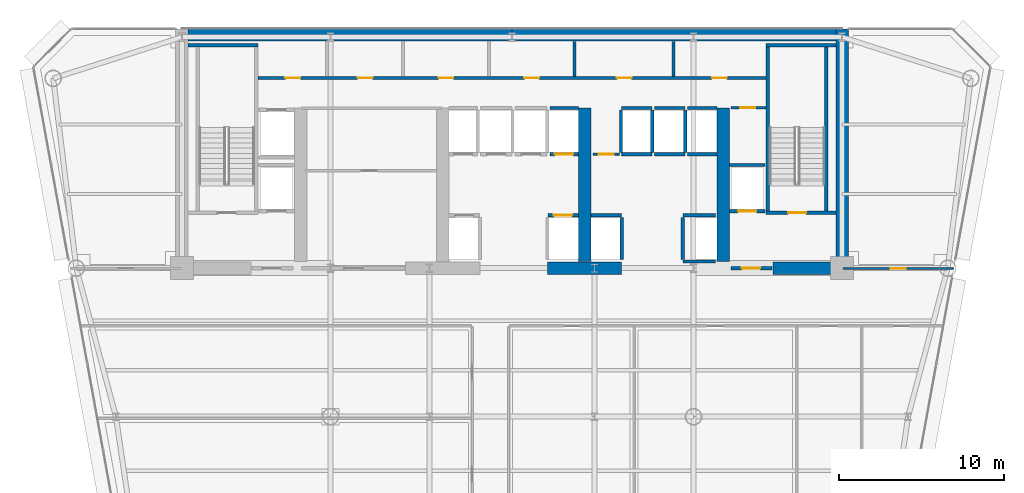
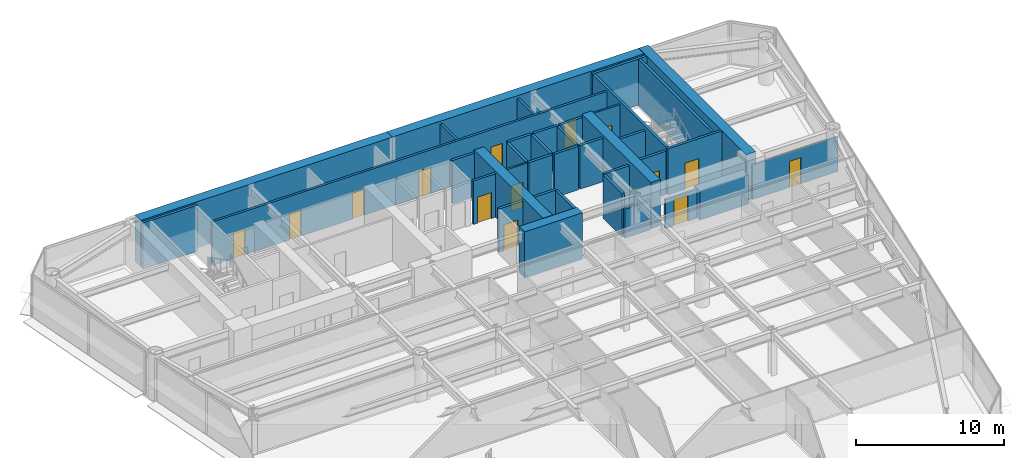
# One storey, part 9 of 14: 38 walls, 14 doors, 14 openings.
"""IFC4 building model written with IfcOpenShell, lengths in metres."""

from ifc_helpers import new_model, si_unit, direction, frame, frame_2d, origin, place, context, subcontext, project, spatial, rectangle, extrude, source, transform, mapped, material, layer, layer_set, type_object, element, fill, save


model = new_model("IFC4")

# Units and contexts
model_context = context("Model", 3, precision=1e-05, world=origin(), true_north=direction((0.0, 1.0)))
body_context = subcontext(model_context, "Body", "Model", "MODEL_VIEW")
ifc_project = project(units=[si_unit("LENGTHUNIT", "METRE"), si_unit("AREAUNIT", "SQUARE_METRE"), si_unit("VOLUMEUNIT", "CUBIC_METRE"), si_unit("PLANEANGLEUNIT", "RADIAN"), si_unit("MASSUNIT", "GRAM", prefix="KILO")], contexts=[model_context])

# Site, building, storey
site_placement = place(None, origin())
site = spatial("IfcSite", under=ifc_project, at=site_placement, CompositionType="ELEMENT")
building_placement = place(site_placement, origin())
building = spatial("IfcBuilding", under=site, at=building_placement, Name="Vaeldorn Concourse Tower", CompositionType="ELEMENT")
storey_placement = place(building_placement, frame((0.0, 0.0, 111.0)))
storey = spatial("IfcBuildingStorey", under=building, at=storey_placement, Name="L28", CompositionType="ELEMENT", Elevation=111.0)

# Walls
ifc_material_1 = material(Name="Concrete C60/75", Category="concrete")
ifc_layer_1 = layer(ifc_material_1, 0.75)
ifc_layer_set_1 = layer_set([ifc_layer_1], Name="Concrete C60/75")
wall_type_1 = type_object("IfcWallType", Name="WL-CORE-750", PredefinedType="SHEAR", material=ifc_layer_set_1)
for number, where, z_axis, x_axis, name in (
    (1, (14.37890625, 50.625, 0.0), (0.0, 0.0, 1.0), (1.0, 0.0, 0.0), "Rear Core Shear Wall L28 N1"),
    (2, (34.001953125, 50.625, 0.0), (0.0, 0.0, 1.0), (1.0, 0.0, 0.0), "Rear Core Shear Wall L28 N2"),
):
    element("IfcWall", number, at=place(storey_placement, frame(where, z_axis=z_axis, x_axis=x_axis)), inside=storey, type_object=wall_type_1, Name=name, PredefinedType="SHEAR", context=body_context, shape_type="SweptSolid", body=[
        extrude(rectangle(XDim=19.619140625, YDim=0.75, at=frame_2d((9.8095703125, 0.0))), origin(), (0.0, 0.0, 1.0), 3.800048828125),
    ])
wall_1_placement = place(storey_placement, frame((54.0, 36.5, 0.0), z_axis=(0.0, 0.0, 1.0), x_axis=(0.0, 1.0, 0.0)))
element("IfcWall", 3, at=wall_1_placement, inside=storey, type_object=wall_type_1, Name="Rear Core Shear Wall L28 E1", PredefinedType="SHEAR", context=body_context, shape_type="SweptSolid", body=[
    extrude(rectangle(XDim=14.5, YDim=0.75, at=frame_2d((7.25, 0.0))), origin(), (0.0, 0.0, 1.0), 3.800048828125),
])
wall_2_placement = place(storey_placement, frame((36.14990234375, 36.5, 0.0), z_axis=(0.0, 0.0, 1.0), x_axis=(1.0, 0.0, 0.0)))
element("IfcWall", 4, at=wall_2_placement, inside=storey, type_object=wall_type_1, Name="Rear Core Shear Wall L28 S3", PredefinedType="SHEAR", context=body_context, shape_type="SweptSolid", body=[
    extrude(rectangle(XDim=4.5, YDim=0.75, at=frame_2d((2.25, 0.0))), origin(), (0.0, 0.0, 1.0), 3.800048828125),
])
wall_3_placement = place(storey_placement, frame((49.800048828125, 36.5, 0.0), z_axis=(0.0, 0.0, 1.0), x_axis=(1.0, 0.0, 0.0)))
element("IfcWall", 5, at=wall_3_placement, inside=storey, type_object=wall_type_1, Name="Rear Core Shear Wall L28 S4", PredefinedType="SHEAR", context=body_context, shape_type="SweptSolid", body=[
    extrude(rectangle(XDim=3.804931640625, YDim=0.75, at=frame_2d((1.90234375, 0.0))), origin(), (0.0, 0.0, 1.0), 2.3798828125),
])
for number, where, z_axis, x_axis, name in (
    (6, (38.39990234375, 36.89501953125, 0.0), (0.0, 0.0, 1.0), (0.0, 1.0, 0.0), "Rear Core Shear Wall L28 M3"),
    (7, (46.800048828125, 36.89501953125, 0.0), (0.0, 0.0, 1.0), (0.0, 1.0, 0.0), "Rear Core Shear Wall L28 M4"),
):
    element("IfcWall", number, at=place(storey_placement, frame(where, z_axis=z_axis, x_axis=x_axis)), inside=storey, type_object=wall_type_1, Name=name, PredefinedType="SHEAR", context=body_context, shape_type="SweptSolid", body=[
        extrude(rectangle(XDim=9.304931640625, YDim=0.75, at=frame_2d((4.65234375, 0.0))), origin(), (0.0, 0.0, 1.0), 3.800048828125),
    ])

# Wall, opening, door
ifc_material_2 = material(Name="Gypsum Board Partition", Category="gypsum")
ifc_layer_2 = layer(ifc_material_2, 0.1201171875)
ifc_layer_set_2 = layer_set([ifc_layer_2], Name="Gypsum Board Partition")
wall_type_2 = type_object("IfcWallType", Name="WL-PART-120", PredefinedType="PARTITIONING", material=ifc_layer_set_2)
wall_4_placement = place(storey_placement, frame((54.06005859375, 36.47998046875, 0.0), z_axis=(0.0, 0.0, 1.0), x_axis=(1.0, 0.0, 0.0)))
wall_4 = element("IfcWall", 8, at=wall_4_placement, inside=storey, type_object=wall_type_2, Name="Interior Wall PW-L28-NES", PredefinedType="PARTITIONING", context=body_context, shape_type="SweptSolid", body=[
    extrude(rectangle(XDim=6.66845703125, YDim=0.1201171875, at=frame_2d((3.334228515625, 0.0))), origin(), (0.0, 0.0, 1.0), 2.8701171875),
])
opening_1_placement = place(wall_4_placement, frame((2.884033203125, 0.0, 0.0)))
opening_1 = element("IfcOpeningElement", 9, at=opening_1_placement, cuts=wall_4, Name="Opening D-03", PredefinedType="OPENING", context=body_context, shape_type="SweptSolid", body=[
    extrude(rectangle(XDim=0.89990234375, YDim=2.14990234375, at=frame_2d((0.449951171875, 1.074951171875))), frame((0.0, 0.070068359375, 0.0), z_axis=(0.0, -1.0, 0.0), x_axis=(1.0, 0.0, 0.0)), (0.0, 0.0, 1.0), 0.14013671875),
])
ifc_material_3 = material(Name="Acoustic Bronze-Framed Glass Door", Category="glass")
door_type_1 = type_object("IfcDoorType", Name="DR-INT-900", OperationType="NOTDEFINED", PredefinedType="DOOR", material=ifc_material_3)
shared_shape_1 = source(origin(), body_context, "Body", "SweptSolid", [
    extrude(rectangle(XDim=0.89990234375, YDim=2.14990234375, at=frame_2d((0.449951171875, 1.074951171875))), frame((0.0, 0.02490234375, 0.0), z_axis=(0.0, -1.0, 0.0), x_axis=(1.0, 0.0, 0.0)), (0.0, 0.0, 1.0), 0.050048828125),
])
door_1_placement = place(opening_1_placement, origin())
door_1 = element("IfcDoor", 10, at=door_1_placement, inside=storey, type_object=door_type_1, Name="Interior Door DR-L28-NEC", OperationType="SINGLE_SWING_RIGHT", OverallHeight=2.14990234375, OverallWidth=0.89990234375, PredefinedType="DOOR", context=body_context, shape_type="MappedRepresentation", body=[
    mapped(shared_shape_1, transform((0.0, 0.0, 0.0), scale=1.0)),
])
fill(opening_1, door_1)

ifc_layer_3 = layer(ifc_material_2, 0.14990234375)
ifc_layer_set_3 = layer_set([ifc_layer_3], Name="Gypsum Board Partition")
wall_type_3 = type_object("IfcWallType", Name="WL-PART-150", PredefinedType="PARTITIONING", material=ifc_layer_set_3)
wall_5_placement = place(storey_placement, frame((47.280029296875, 46.219970703125, 0.0), z_axis=(0.0, 0.0, 1.0), x_axis=(1.0, 0.0, 0.0)))
wall_5 = element("IfcWall", 11, at=wall_5_placement, inside=storey, type_object=wall_type_3, Name="Interior Wall CW-L28-CRSE-N", PredefinedType="PARTITIONING", context=body_context, shape_type="SweptSolid", body=[
    extrude(rectangle(XDim=2.099853515625, YDim=0.14990234375, at=frame_2d((1.0498046875, 0.0))), origin(), (0.0, 0.0, 1.0), 3.580078125),
])
opening_2_placement = place(wall_5_placement, frame((0.550048828125, 0.0, 0.0)))
opening_2 = element("IfcOpeningElement", 12, at=opening_2_placement, cuts=wall_5, Name="Opening D-02", PredefinedType="OPENING", context=body_context, shape_type="SweptSolid", body=[
    extrude(rectangle(XDim=0.89990234375, YDim=2.10009765625, at=frame_2d((0.449951171875, 1.050048828125))), frame((0.0, 0.0849609375, 0.0), z_axis=(0.0, -1.0, 0.0), x_axis=(1.0, 0.0, 0.0)), (0.0, 0.0, 1.0), 0.169921875),
])
ifc_material_4 = material(Name="Fire-Rated Timber Leaf", Category="wood")
door_type_2 = type_object("IfcDoorType", Name="DR-FD30-900", OperationType="NOTDEFINED", PredefinedType="DOOR", material=ifc_material_4)
shared_shape_2 = source(origin(), body_context, "Body", "SweptSolid", [
    extrude(rectangle(XDim=0.89990234375, YDim=2.10009765625, at=frame_2d((0.449951171875, 1.050048828125))), frame((0.0, 0.02490234375, 0.0), z_axis=(0.0, -1.0, 0.0), x_axis=(1.0, 0.0, 0.0)), (0.0, 0.0, 1.0), 0.050048828125),
])
door_2_placement = place(opening_2_placement, origin())
door_2 = element("IfcDoor", 13, at=door_2_placement, inside=storey, type_object=door_type_2, Name="Interior Door DR-L28-CRSE", OperationType="SINGLE_SWING_RIGHT", OverallHeight=2.10009765625, OverallWidth=0.89990234375, PredefinedType="DOOR", context=body_context, shape_type="MappedRepresentation", body=[
    mapped(shared_shape_2, transform((0.0, 0.0, 0.0), scale=1.0)),
])
fill(opening_2, door_2)

wall_6_placement = place(storey_placement, frame((38.919921875, 43.39990234375, 0.0), z_axis=(0.0, 0.0, 1.0), x_axis=(1.0, 0.0, 0.0)))
wall_6 = element("IfcWall", 14, at=wall_6_placement, inside=storey, type_object=wall_type_3, Name="Interior Wall CW-L28-CCLINK", PredefinedType="PARTITIONING", context=body_context, shape_type="SweptSolid", body=[
    extrude(rectangle(XDim=1.60009765625, YDim=0.14990234375, at=frame_2d((0.800048828125, 0.0))), origin(), (0.0, 0.0, 1.0), 3.580078125),
])
opening_3_placement = place(wall_6_placement, frame((0.35009765625, 0.0, 0.0)))
opening_3 = element("IfcOpeningElement", 15, at=opening_3_placement, cuts=wall_6, Name="Opening D-02", PredefinedType="OPENING", context=body_context, shape_type="SweptSolid", body=[
    extrude(rectangle(XDim=0.89990234375, YDim=2.10009765625, at=frame_2d((0.449951171875, 1.050048828125))), frame((0.0, 0.0849609375, 0.0), z_axis=(0.0, -1.0, 0.0), x_axis=(1.0, 0.0, 0.0)), (0.0, 0.0, 1.0), 0.169921875),
])
door_3_placement = place(opening_3_placement, origin())
door_3 = element("IfcDoor", 16, at=door_3_placement, inside=storey, type_object=door_type_2, Name="Interior Door DR-L28-CCLINK", OperationType="SINGLE_SWING_LEFT", OverallHeight=2.10009765625, OverallWidth=0.89990234375, PredefinedType="DOOR", context=body_context, shape_type="MappedRepresentation", body=[
    mapped(shared_shape_2, transform((0.0, 0.0, 0.0), scale=1.0)),
])
fill(opening_3, door_3)

# Wall, openings, doors
ifc_layer_4 = layer(ifc_material_2, 0.179931640625)
ifc_layer_set_4 = layer_set([ifc_layer_4], Name="Gypsum Board Partition")
wall_type_4 = type_object("IfcWallType", Name="WL-PLUMB-180", PredefinedType="PLUMBINGWALL", material=ifc_layer_set_4)
wall_7_placement = place(storey_placement, frame((18.6201171875, 48.02001953125, 0.0), z_axis=(0.0, 0.0, 1.0), x_axis=(1.0, 0.0, 0.0)))
wall_7 = element("IfcWall", 17, at=wall_7_placement, inside=storey, type_object=wall_type_4, Name="Interior Wall CW-L28-NS3", PredefinedType="PLUMBINGWALL", context=body_context, shape_type="SweptSolid", body=[
    extrude(rectangle(XDim=30.759765625, YDim=0.179931640625, at=frame_2d((15.3798828125, 0.0))), origin(), (0.0, 0.0, 1.0), 3.580078125),
])
opening_4_placement = place(wall_7_placement, frame((1.655029296875, 0.0, 0.0)))
opening_4 = element("IfcOpeningElement", 18, at=opening_4_placement, cuts=wall_7, Name="Opening D-03", PredefinedType="OPENING", context=body_context, shape_type="SweptSolid", body=[
    extrude(rectangle(XDim=0.89990234375, YDim=2.14990234375, at=frame_2d((0.449951171875, 1.074951171875))), frame((0.0, 0.10009765625, 0.0), z_axis=(0.0, -1.0, 0.0), x_axis=(1.0, 0.0, 0.0)), (0.0, 0.0, 1.0), 0.199951171875),
])
opening_5_placement = place(wall_7_placement, frame((6.030029296875, 0.0, 0.0)))
opening_5 = element("IfcOpeningElement", 19, at=opening_5_placement, cuts=wall_7, Name="Opening D-03", PredefinedType="OPENING", context=body_context, shape_type="SweptSolid", body=[
    extrude(rectangle(XDim=0.89990234375, YDim=2.14990234375, at=frame_2d((0.449951171875, 1.074951171875))), frame((0.0, 0.10009765625, 0.0), z_axis=(0.0, -1.0, 0.0), x_axis=(1.0, 0.0, 0.0)), (0.0, 0.0, 1.0), 0.199951171875),
])
opening_6_placement = place(wall_7_placement, frame((10.929931640625, 0.0, 0.0)))
opening_6 = element("IfcOpeningElement", 20, at=opening_6_placement, cuts=wall_7, Name="Opening D-03", PredefinedType="OPENING", context=body_context, shape_type="SweptSolid", body=[
    extrude(rectangle(XDim=0.89990234375, YDim=2.14990234375, at=frame_2d((0.449951171875, 1.074951171875))), frame((0.0, 0.10009765625, 0.0), z_axis=(0.0, -1.0, 0.0), x_axis=(1.0, 0.0, 0.0)), (0.0, 0.0, 1.0), 0.199951171875),
])
opening_7_placement = place(wall_7_placement, frame((16.1298828125, 0.0, 0.0)))
opening_7 = element("IfcOpeningElement", 21, at=opening_7_placement, cuts=wall_7, Name="Opening D-03", PredefinedType="OPENING", context=body_context, shape_type="SweptSolid", body=[
    extrude(rectangle(XDim=0.89990234375, YDim=2.14990234375, at=frame_2d((0.449951171875, 1.074951171875))), frame((0.0, 0.10009765625, 0.0), z_axis=(0.0, -1.0, 0.0), x_axis=(1.0, 0.0, 0.0)), (0.0, 0.0, 1.0), 0.199951171875),
])
opening_8_placement = place(wall_7_placement, frame((21.72998046875, 0.0, 0.0)))
opening_8 = element("IfcOpeningElement", 22, at=opening_8_placement, cuts=wall_7, Name="Opening D-03", PredefinedType="OPENING", context=body_context, shape_type="SweptSolid", body=[
    extrude(rectangle(XDim=0.89990234375, YDim=2.14990234375, at=frame_2d((0.449951171875, 1.074951171875))), frame((0.0, 0.10009765625, 0.0), z_axis=(0.0, -1.0, 0.0), x_axis=(1.0, 0.0, 0.0)), (0.0, 0.0, 1.0), 0.199951171875),
])
opening_9_placement = place(wall_7_placement, frame((27.5048828125, 0.0, 0.0)))
opening_9 = element("IfcOpeningElement", 23, at=opening_9_placement, cuts=wall_7, Name="Opening D-03", PredefinedType="OPENING", context=body_context, shape_type="SweptSolid", body=[
    extrude(rectangle(XDim=0.89990234375, YDim=2.14990234375, at=frame_2d((0.449951171875, 1.074951171875))), frame((0.0, 0.10009765625, 0.0), z_axis=(0.0, -1.0, 0.0), x_axis=(1.0, 0.0, 0.0)), (0.0, 0.0, 1.0), 0.199951171875),
])
door_4_placement = place(opening_4_placement, origin())
door_4 = element("IfcDoor", 24, at=door_4_placement, inside=storey, type_object=door_type_1, Name="Interior Door DR-L28-CS1", OperationType="SINGLE_SWING_LEFT", OverallHeight=2.14990234375, OverallWidth=0.89990234375, PredefinedType="DOOR", context=body_context, shape_type="MappedRepresentation", body=[
    mapped(shared_shape_1, transform((0.0, 0.0, 0.0), scale=1.0)),
])
fill(opening_4, door_4)
door_5_placement = place(opening_5_placement, origin())
door_5 = element("IfcDoor", 25, at=door_5_placement, inside=storey, type_object=door_type_1, Name="Interior Door DR-L28-CS2", OperationType="SINGLE_SWING_RIGHT", OverallHeight=2.14990234375, OverallWidth=0.89990234375, PredefinedType="DOOR", context=body_context, shape_type="MappedRepresentation", body=[
    mapped(shared_shape_1, transform((0.0, 0.0, 0.0), scale=1.0)),
])
fill(opening_5, door_5)
door_6_placement = place(opening_6_placement, origin())
door_6 = element("IfcDoor", 26, at=door_6_placement, inside=storey, type_object=door_type_1, Name="Interior Door DR-L28-CS3", OperationType="SINGLE_SWING_LEFT", OverallHeight=2.14990234375, OverallWidth=0.89990234375, PredefinedType="DOOR", context=body_context, shape_type="MappedRepresentation", body=[
    mapped(shared_shape_1, transform((0.0, 0.0, 0.0), scale=1.0)),
])
fill(opening_6, door_6)
door_7_placement = place(opening_7_placement, origin())
door_7 = element("IfcDoor", 27, at=door_7_placement, inside=storey, type_object=door_type_1, Name="Interior Door DR-L28-CS4", OperationType="SINGLE_SWING_RIGHT", OverallHeight=2.14990234375, OverallWidth=0.89990234375, PredefinedType="DOOR", context=body_context, shape_type="MappedRepresentation", body=[
    mapped(shared_shape_1, transform((0.0, 0.0, 0.0), scale=1.0)),
])
fill(opening_7, door_7)
door_8_placement = place(opening_8_placement, origin())
door_8 = element("IfcDoor", 28, at=door_8_placement, inside=storey, type_object=door_type_1, Name="Interior Door DR-L28-CS5", OperationType="SINGLE_SWING_LEFT", OverallHeight=2.14990234375, OverallWidth=0.89990234375, PredefinedType="DOOR", context=body_context, shape_type="MappedRepresentation", body=[
    mapped(shared_shape_1, transform((0.0, 0.0, 0.0), scale=1.0)),
])
fill(opening_8, door_8)
door_9_placement = place(opening_9_placement, origin())
door_9 = element("IfcDoor", 29, at=door_9_placement, inside=storey, type_object=door_type_1, Name="Interior Door DR-L28-CS6", OperationType="SINGLE_SWING_RIGHT", OverallHeight=2.14990234375, OverallWidth=0.89990234375, PredefinedType="DOOR", context=body_context, shape_type="MappedRepresentation", body=[
    mapped(shared_shape_1, transform((0.0, 0.0, 0.0), scale=1.0)),
])
fill(opening_9, door_9)

# Walls
for number, where, z_axis, x_axis, name in (
    (30, (37.800048828125, 48.10009765625, 0.0), (0.0, 0.0, 1.0), (0.0, 1.0, 0.0), "Interior Wall CW-L28-NDIV4"),
    (31, (43.800048828125, 48.10009765625, 0.0), (0.0, 0.0, 1.0), (0.0, 1.0, 0.0), "Interior Wall CW-L28-NDIV5"),
):
    element("IfcWall", number, at=place(storey_placement, frame(where, z_axis=z_axis, x_axis=x_axis)), inside=storey, type_object=wall_type_4, Name=name, PredefinedType="PLUMBINGWALL", context=body_context, shape_type="SweptSolid", body=[
        extrude(rectangle(XDim=2.1298828125, YDim=0.179931640625, at=frame_2d((1.06494140625, 0.0))), origin(), (0.0, 0.0, 1.0), 3.580078125),
    ])
ifc_material_5 = material(Name="Concrete C50/60", Category="concrete")
ifc_layer_5 = layer(ifc_material_5, 0.199951171875)
ifc_layer_set_5 = layer_set([ifc_layer_5], Name="Concrete C50/60")
wall_type_5 = type_object("IfcWallType", Name="WL-SHAFT-200", PredefinedType="SOLIDWALL", material=ifc_layer_set_5)
wall_8_placement = place(storey_placement, frame((14.375, 50.0, 0.0), z_axis=(0.0, 0.0, 1.0), x_axis=(1.0, 0.0, 0.0)))
element("IfcWall", 32, at=wall_8_placement, inside=storey, type_object=wall_type_5, Name="Stair Shaft Wall CW-L28-ST-1-N", PredefinedType="SOLIDWALL", context=body_context, shape_type="SweptSolid", body=[
    extrude(rectangle(XDim=4.22509765625, YDim=0.199951171875, at=frame_2d((2.112548828125, 0.0))), origin(), (0.0, 0.0, 1.0), 3.800048828125),
])

# Wall, opening, door
wall_9_placement = place(storey_placement, frame((49.39990234375, 39.85009765625, 0.0), z_axis=(0.0, 0.0, 1.0), x_axis=(1.0, 0.0, 0.0)))
wall_9 = element("IfcWall", 33, at=wall_9_placement, inside=storey, type_object=wall_type_5, Name="Stair Shaft Wall CW-L28-ST-2-S", PredefinedType="SOLIDWALL", context=body_context, shape_type="SweptSolid", body=[
    extrude(rectangle(XDim=4.22509765625, YDim=0.199951171875, at=frame_2d((2.112548828125, 0.0))), origin(), (0.0, 0.0, 1.0), 3.800048828125),
])
opening_10_placement = place(wall_9_placement, frame((1.324951171875, 0.0, 0.0)))
opening_10 = element("IfcOpeningElement", 34, at=opening_10_placement, cuts=wall_9, Name="Opening D-01", PredefinedType="OPENING", context=body_context, shape_type="SweptSolid", body=[
    extrude(rectangle(XDim=1.10009765625, YDim=2.14990234375, at=frame_2d((0.550048828125, 1.074951171875))), frame((0.0, 0.10986328125, 0.0), z_axis=(0.0, -1.0, 0.0), x_axis=(1.0, 0.0, 0.0)), (0.0, 0.0, 1.0), 0.219970703125),
])
ifc_material_6 = material(Name="Fire-Rated Timber and Steel Leaf", Category="steel")
door_type_3 = type_object("IfcDoorType", Name="DR-FD60-1100", OperationType="NOTDEFINED", PredefinedType="DOOR", material=ifc_material_6)
shared_shape_3 = source(origin(), body_context, "Body", "SweptSolid", [
    extrude(rectangle(XDim=1.10009765625, YDim=2.14990234375, at=frame_2d((0.550048828125, 1.074951171875))), frame((0.0, 0.02490234375, 0.0), z_axis=(0.0, -1.0, 0.0), x_axis=(1.0, 0.0, 0.0)), (0.0, 0.0, 1.0), 0.050048828125),
])
door_10_placement = place(opening_10_placement, origin())
door_10 = element("IfcDoor", 35, at=door_10_placement, inside=storey, type_object=door_type_3, Name="Interior Door DR-L28-ST-2", OperationType="SINGLE_SWING_RIGHT", OverallHeight=2.14990234375, OverallWidth=1.10009765625, PredefinedType="DOOR", context=body_context, shape_type="MappedRepresentation", body=[
    mapped(shared_shape_3, transform((0.0, 0.0, 0.0), scale=1.0)),
])
fill(opening_10, door_10)

# Walls
wall_10_placement = place(storey_placement, frame((49.39990234375, 50.0, 0.0), z_axis=(0.0, 0.0, 1.0), x_axis=(1.0, 0.0, 0.0)))
element("IfcWall", 36, at=wall_10_placement, inside=storey, type_object=wall_type_5, Name="Stair Shaft Wall CW-L28-ST-2-N", PredefinedType="SOLIDWALL", context=body_context, shape_type="SweptSolid", body=[
    extrude(rectangle(XDim=4.22509765625, YDim=0.199951171875, at=frame_2d((2.112548828125, 0.0))), origin(), (0.0, 0.0, 1.0), 3.800048828125),
])
for number, where, z_axis, x_axis, name in (
    (37, (49.5, 39.9599609375, 0.0), (0.0, 0.0, 1.0), (0.0, 1.0, 0.0), "Stair Shaft Wall CW-L28-ST-2-W"),
    (38, (53.050048828125, 39.9599609375, 0.0), (0.0, 0.0, 1.0), (0.0, 1.0, 0.0), "Stair Shaft Wall CW-L28-ST-2-E"),
):
    element("IfcWall", number, at=place(storey_placement, frame(where, z_axis=z_axis, x_axis=x_axis)), inside=storey, type_object=wall_type_5, Name=name, PredefinedType="SOLIDWALL", context=body_context, shape_type="SweptSolid", body=[
        extrude(rectangle(XDim=9.929931640625, YDim=0.199951171875, at=frame_2d((4.96484375, 0.0))), origin(), (0.0, 0.0, 1.0), 3.800048828125),
    ])

# Wall, opening, door
wall_11_placement = place(storey_placement, frame((47.280029296875, 36.5, 0.0), z_axis=(0.0, 0.0, 1.0), x_axis=(1.0, 0.0, 0.0)))
wall_11 = element("IfcWall", 39, at=wall_11_placement, inside=storey, type_object=wall_type_5, Name="Interior Wall CW-L28-FF2S", PredefinedType="SOLIDWALL", context=body_context, shape_type="SweptSolid", body=[
    extrude(rectangle(XDim=2.469970703125, YDim=0.199951171875, at=frame_2d((1.23486328125, 0.0))), origin(), (0.0, 0.0, 1.0), 2.3701171875),
])
opening_11_placement = place(wall_11_placement, frame((0.64990234375, 0.0, 0.0)))
opening_11 = element("IfcOpeningElement", 40, at=opening_11_placement, cuts=wall_11, Name="Opening D-01", PredefinedType="OPENING", context=body_context, shape_type="SweptSolid", body=[
    extrude(rectangle(XDim=1.10009765625, YDim=2.14990234375, at=frame_2d((0.550048828125, 1.074951171875))), frame((0.0, 0.10986328125, 0.0), z_axis=(0.0, -1.0, 0.0), x_axis=(1.0, 0.0, 0.0)), (0.0, 0.0, 1.0), 0.219970703125),
])
door_11_placement = place(opening_11_placement, origin())
door_11 = element("IfcDoor", 41, at=door_11_placement, inside=storey, type_object=door_type_3, Name="Interior Door DR-L28-FF2W", OperationType="SINGLE_SWING_LEFT", OverallHeight=2.14990234375, OverallWidth=1.10009765625, PredefinedType="DOOR", context=body_context, shape_type="MappedRepresentation", body=[
    mapped(shared_shape_3, transform((0.0, 0.0, 0.0), scale=1.0)),
])
fill(opening_11, door_11)

wall_12_placement = place(storey_placement, frame((36.169921875, 39.699951171875, 0.0), z_axis=(0.0, 0.0, 1.0), x_axis=(1.0, 0.0, 0.0)))
wall_12 = element("IfcWall", 42, at=wall_12_placement, inside=storey, type_object=wall_type_5, Name="Interior Wall CW-L28-LF-LF-08", PredefinedType="SOLIDWALL", context=body_context, shape_type="SweptSolid", body=[
    extrude(rectangle(XDim=1.844970703125, YDim=0.199951171875, at=frame_2d((0.92236328125, 0.0))), origin(), (0.0, 0.0, 1.0), 3.580078125),
])
opening_12_placement = place(wall_12_placement, frame((0.3720703125, 0.0, 0.0)))
opening_12 = element("IfcOpeningElement", 43, at=opening_12_placement, cuts=wall_12, Name="Opening LD-1", PredefinedType="OPENING", context=body_context, shape_type="SweptSolid", body=[
    extrude(rectangle(XDim=1.10009765625, YDim=2.14990234375, at=frame_2d((0.550048828125, 1.074951171875))), frame((0.0, 0.10986328125, 0.0), z_axis=(0.0, -1.0, 0.0), x_axis=(1.0, 0.0, 0.0)), (0.0, 0.0, 1.0), 0.219970703125),
])
ifc_material_7 = material(Name="Anodised Bronze Aluminium", Category="aluminium")
door_type_4 = type_object("IfcDoorType", Name="DR-LIFT-SLIDE-1100", OperationType="DOUBLE_DOOR_SLIDING", PredefinedType="DOOR", material=ifc_material_7)
door_12_placement = place(opening_12_placement, origin())
door_12 = element("IfcDoor", 44, at=door_12_placement, inside=storey, type_object=door_type_4, Name="Lift Landing Door LD-L28-LF-08", OperationType="DOUBLE_DOOR_SLIDING", OverallHeight=2.14990234375, OverallWidth=1.10009765625, PredefinedType="DOOR", context=body_context, shape_type="MappedRepresentation", body=[
    mapped(shared_shape_3, transform((0.0, 0.0, 0.0), scale=1.0)),
])
fill(opening_12, door_12)

wall_13_placement = place(storey_placement, frame((36.2900390625, 43.39990234375, 0.0), z_axis=(0.0, 0.0, 1.0), x_axis=(1.0, 0.0, 0.0)))
wall_13 = element("IfcWall", 45, at=wall_13_placement, inside=storey, type_object=wall_type_5, Name="Interior Wall CW-L28-LF-LF-12", PredefinedType="SOLIDWALL", context=body_context, shape_type="SweptSolid", body=[
    extrude(rectangle(XDim=1.724853515625, YDim=0.199951171875, at=frame_2d((0.8623046875, 0.0))), origin(), (0.0, 0.0, 1.0), 3.580078125),
])
opening_13_placement = place(wall_13_placement, frame((0.31298828125, 0.0, 0.0)))
opening_13 = element("IfcOpeningElement", 46, at=opening_13_placement, cuts=wall_13, Name="Opening LD-1", PredefinedType="OPENING", context=body_context, shape_type="SweptSolid", body=[
    extrude(rectangle(XDim=1.10009765625, YDim=2.14990234375, at=frame_2d((0.550048828125, 1.074951171875))), frame((0.0, 0.10986328125, 0.0), z_axis=(0.0, -1.0, 0.0), x_axis=(1.0, 0.0, 0.0)), (0.0, 0.0, 1.0), 0.219970703125),
])
door_13_placement = place(opening_13_placement, origin())
door_13 = element("IfcDoor", 47, at=door_13_placement, inside=storey, type_object=door_type_4, Name="Lift Landing Door LD-L28-LF-12", OperationType="DOUBLE_DOOR_SLIDING", OverallHeight=2.14990234375, OverallWidth=1.10009765625, PredefinedType="DOOR", context=body_context, shape_type="MappedRepresentation", body=[
    mapped(shared_shape_3, transform((0.0, 0.0, 0.0), scale=1.0)),
])
fill(opening_13, door_13)

# Walls
wall_14_placement = place(storey_placement, frame((36.2900390625, 46.199951171875, 0.0), z_axis=(0.0, 0.0, 1.0), x_axis=(1.0, 0.0, 0.0)))
element("IfcWall", 48, at=wall_14_placement, inside=storey, type_object=wall_type_5, Name="Interior Wall CW-L28-LFB-LF-12", PredefinedType="SOLIDWALL", context=body_context, shape_type="SweptSolid", body=[
    extrude(rectangle(XDim=1.724853515625, YDim=0.199951171875, at=frame_2d((0.8623046875, 0.0))), origin(), (0.0, 0.0, 1.0), 3.580078125),
])
wall_15_placement = place(storey_placement, frame((38.784912109375, 39.699951171875, 0.0), z_axis=(0.0, 0.0, 1.0), x_axis=(1.0, 0.0, 0.0)))
element("IfcWall", 49, at=wall_15_placement, inside=storey, type_object=wall_type_5, Name="Interior Wall CW-L28-LF-LF-13", PredefinedType="SOLIDWALL", context=body_context, shape_type="SweptSolid", body=[
    extrude(rectangle(XDim=1.844970703125, YDim=0.199951171875, at=frame_2d((0.92236328125, 0.0))), origin(), (0.0, 0.0, 1.0), 3.580078125),
])
wall_16_placement = place(storey_placement, frame((40.64990234375, 37.02001953125, 0.0), z_axis=(0.0, 0.0, 1.0), x_axis=(0.0, 1.0, 0.0)))
element("IfcWall", 50, at=wall_16_placement, inside=storey, type_object=wall_type_5, Name="Interior Wall CW-L28-LFE-LF-13", PredefinedType="SOLIDWALL", context=body_context, shape_type="SweptSolid", body=[
    extrude(rectangle(XDim=2.56005859375, YDim=0.199951171875, at=frame_2d((1.280029296875, 0.0))), origin(), (0.0, 0.0, 1.0), 3.580078125),
])
wall_17_placement = place(storey_placement, frame((44.3701171875, 39.699951171875, 0.0), z_axis=(0.0, 0.0, 1.0), x_axis=(1.0, 0.0, 0.0)))
element("IfcWall", 51, at=wall_17_placement, inside=storey, type_object=wall_type_5, Name="Interior Wall CW-L28-LF-LF-14", PredefinedType="SOLIDWALL", context=body_context, shape_type="SweptSolid", body=[
    extrude(rectangle(XDim=1.9599609375, YDim=0.199951171875, at=frame_2d((0.97998046875, 0.0))), origin(), (0.0, 0.0, 1.0), 3.580078125),
])
wall_18_placement = place(storey_placement, frame((44.3701171875, 36.89990234375, 0.0), z_axis=(0.0, 0.0, 1.0), x_axis=(1.0, 0.0, 0.0)))
element("IfcWall", 52, at=wall_18_placement, inside=storey, type_object=wall_type_5, Name="Interior Wall CW-L28-LFB-LF-14", PredefinedType="SOLIDWALL", context=body_context, shape_type="SweptSolid", body=[
    extrude(rectangle(XDim=1.9599609375, YDim=0.199951171875, at=frame_2d((0.97998046875, 0.0))), origin(), (0.0, 0.0, 1.0), 2.3701171875),
])
wall_19_placement = place(storey_placement, frame((44.35009765625, 37.02001953125, 0.0), z_axis=(0.0, 0.0, 1.0), x_axis=(0.0, 1.0, 0.0)))
element("IfcWall", 53, at=wall_19_placement, inside=storey, type_object=wall_type_5, Name="Interior Wall CW-L28-LFW-LF-14", PredefinedType="SOLIDWALL", context=body_context, shape_type="SweptSolid", body=[
    extrude(rectangle(XDim=2.56005859375, YDim=0.199951171875, at=frame_2d((1.280029296875, 0.0))), origin(), (0.0, 0.0, 1.0), 3.580078125),
])
for number, where, z_axis, x_axis, name in (
    (54, (40.6201171875, 43.39990234375, 0.0), (0.0, 0.0, 1.0), (1.0, 0.0, 0.0), "Interior Wall CW-L28-LF-LF-15"),
    (55, (40.6201171875, 46.199951171875, 0.0), (0.0, 0.0, 1.0), (1.0, 0.0, 0.0), "Interior Wall CW-L28-LFB-LF-15"),
):
    element("IfcWall", number, at=place(storey_placement, frame(where, z_axis=z_axis, x_axis=x_axis)), inside=storey, type_object=wall_type_5, Name=name, PredefinedType="SOLIDWALL", context=body_context, shape_type="SweptSolid", body=[
        extrude(rectangle(XDim=1.85986328125, YDim=0.199951171875, at=frame_2d((0.929931640625, 0.0))), origin(), (0.0, 0.0, 1.0), 3.580078125),
    ])
for number, where, z_axis, x_axis, name in (
    (56, (40.60009765625, 43.52001953125, 0.0), (0.0, 0.0, 1.0), (0.0, 1.0, 0.0), "Interior Wall CW-L28-LFW-LF-15"),
    (57, (42.5, 43.52001953125, 0.0), (0.0, 0.0, 1.0), (0.0, 1.0, 0.0), "Interior Wall CW-L28-LFE-LF-15"),
):
    element("IfcWall", number, at=place(storey_placement, frame(where, z_axis=z_axis, x_axis=x_axis)), inside=storey, type_object=wall_type_5, Name=name, PredefinedType="SOLIDWALL", context=body_context, shape_type="SweptSolid", body=[
        extrude(rectangle(XDim=2.56005859375, YDim=0.199951171875, at=frame_2d((1.280029296875, 0.0))), origin(), (0.0, 0.0, 1.0), 3.580078125),
    ])
for number, where, z_axis, x_axis, name in (
    (58, (42.6201171875, 43.39990234375, 0.0), (0.0, 0.0, 1.0), (1.0, 0.0, 0.0), "Interior Wall CW-L28-LF-LF-16"),
    (59, (42.6201171875, 46.199951171875, 0.0), (0.0, 0.0, 1.0), (1.0, 0.0, 0.0), "Interior Wall CW-L28-LFB-LF-16"),
):
    element("IfcWall", number, at=place(storey_placement, frame(where, z_axis=z_axis, x_axis=x_axis)), inside=storey, type_object=wall_type_5, Name=name, PredefinedType="SOLIDWALL", context=body_context, shape_type="SweptSolid", body=[
        extrude(rectangle(XDim=1.85986328125, YDim=0.199951171875, at=frame_2d((0.929931640625, 0.0))), origin(), (0.0, 0.0, 1.0), 3.580078125),
    ])
wall_20_placement = place(storey_placement, frame((44.5, 43.52001953125, 0.0), z_axis=(0.0, 0.0, 1.0), x_axis=(0.0, 1.0, 0.0)))
element("IfcWall", 60, at=wall_20_placement, inside=storey, type_object=wall_type_5, Name="Interior Wall CW-L28-LFE-LF-16", PredefinedType="SOLIDWALL", context=body_context, shape_type="SweptSolid", body=[
    extrude(rectangle(XDim=2.56005859375, YDim=0.199951171875, at=frame_2d((1.280029296875, 0.0))), origin(), (0.0, 0.0, 1.0), 3.580078125),
])
for number, where, z_axis, x_axis, name in (
    (61, (44.6201171875, 43.39990234375, 0.0), (0.0, 0.0, 1.0), (1.0, 0.0, 0.0), "Interior Wall CW-L28-LF-LF-17"),
    (62, (44.6201171875, 46.199951171875, 0.0), (0.0, 0.0, 1.0), (1.0, 0.0, 0.0), "Interior Wall CW-L28-LFB-LF-17"),
):
    element("IfcWall", number, at=place(storey_placement, frame(where, z_axis=z_axis, x_axis=x_axis)), inside=storey, type_object=wall_type_5, Name=name, PredefinedType="SOLIDWALL", context=body_context, shape_type="SweptSolid", body=[
        extrude(rectangle(XDim=1.794921875, YDim=0.199951171875, at=frame_2d((0.8974609375, 0.0))), origin(), (0.0, 0.0, 1.0), 3.580078125),
    ])

# Wall, opening, door
wall_21_placement = place(storey_placement, frame((47.18505859375, 39.949951171875, 0.0), z_axis=(0.0, 0.0, 1.0), x_axis=(1.0, 0.0, 0.0)))
wall_21 = element("IfcWall", 63, at=wall_21_placement, inside=storey, type_object=wall_type_5, Name="Interior Wall CW-L28-LF-LF-FF2", PredefinedType="SOLIDWALL", context=body_context, shape_type="SweptSolid", body=[
    extrude(rectangle(XDim=2.14501953125, YDim=0.199951171875, at=frame_2d((1.072509765625, 0.0))), origin(), (0.0, 0.0, 1.0), 3.580078125),
])
opening_14_placement = place(wall_21_placement, frame((0.52197265625, 0.0, 0.0)))
opening_14 = element("IfcOpeningElement", 64, at=opening_14_placement, cuts=wall_21, Name="Opening LD-1", PredefinedType="OPENING", context=body_context, shape_type="SweptSolid", body=[
    extrude(rectangle(XDim=1.10009765625, YDim=2.14990234375, at=frame_2d((0.550048828125, 1.074951171875))), frame((0.0, 0.10986328125, 0.0), z_axis=(0.0, -1.0, 0.0), x_axis=(1.0, 0.0, 0.0)), (0.0, 0.0, 1.0), 0.219970703125),
])
door_14_placement = place(opening_14_placement, origin())
door_14 = element("IfcDoor", 65, at=door_14_placement, inside=storey, type_object=door_type_4, Name="Lift Landing Door LD-L28-LF-FF2", OperationType="DOUBLE_DOOR_SLIDING", OverallHeight=2.14990234375, OverallWidth=1.10009765625, PredefinedType="DOOR", context=body_context, shape_type="MappedRepresentation", body=[
    mapped(shared_shape_3, transform((0.0, 0.0, 0.0), scale=1.0)),
])
fill(opening_14, door_14)

# Wall
wall_22_placement = place(storey_placement, frame((47.18505859375, 42.75, 0.0), z_axis=(0.0, 0.0, 1.0), x_axis=(1.0, 0.0, 0.0)))
element("IfcWall", 66, at=wall_22_placement, inside=storey, type_object=wall_type_5, Name="Interior Wall CW-L28-LFB-LF-FF2", PredefinedType="SOLIDWALL", context=body_context, shape_type="SweptSolid", body=[
    extrude(rectangle(XDim=2.14501953125, YDim=0.199951171875, at=frame_2d((1.072509765625, 0.0))), origin(), (0.0, 0.0, 1.0), 3.580078125),
])

save(model, "model.ifc")
